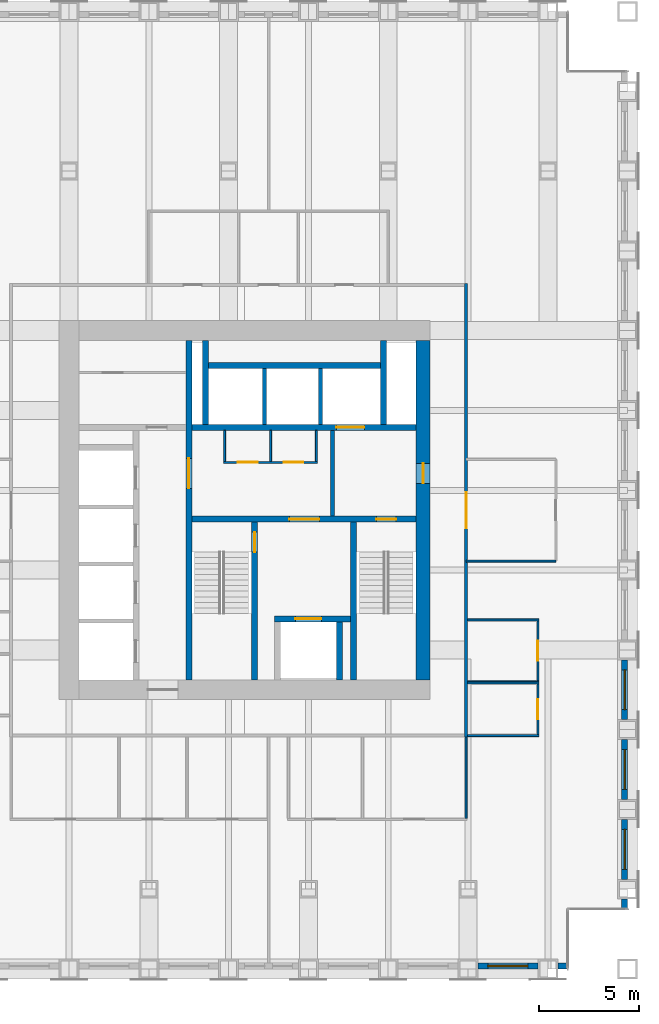
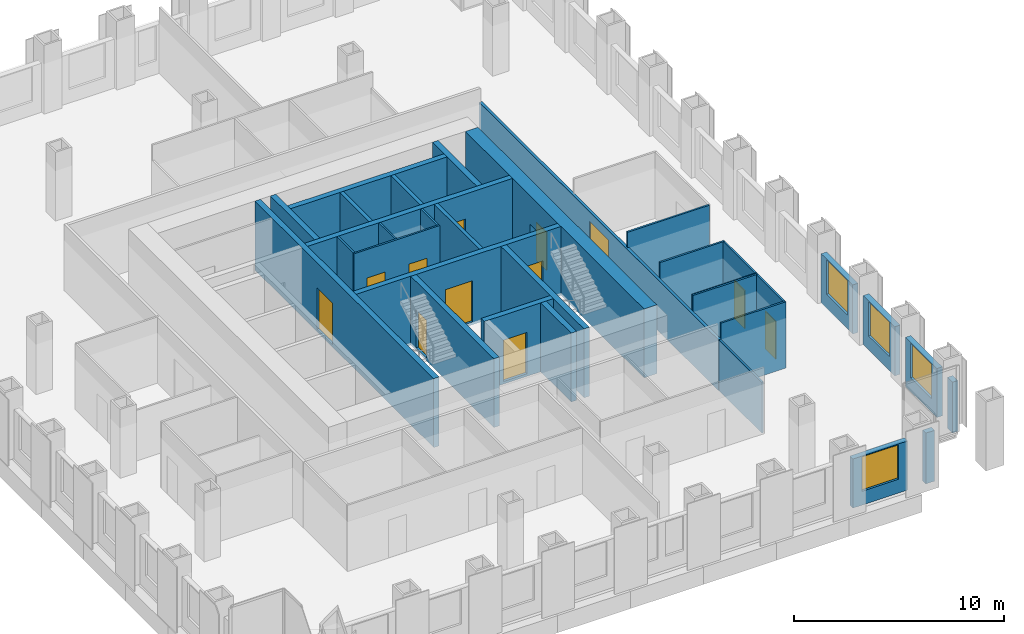
# One storey, part 9 of 12: 33 walls, 12 doors, 4 windows, 16 openings.
"""IFC4 building model written with IfcOpenShell, lengths in metres."""

from ifc_helpers import new_model, si_unit, direction, frame, frame_2d, origin, place, context, subcontext, project, spatial, rectangle, extrude, material, layer, layer_set, type_object, element, fill, save


model = new_model("IFC4")

# Units and contexts
model_context = context("Model", 3, precision=1e-05, world=origin(), true_north=direction((0.0, 1.0)))
body_context = subcontext(model_context, "Body", "Model", "MODEL_VIEW")
ifc_project = project(units=[si_unit("LENGTHUNIT", "METRE"), si_unit("AREAUNIT", "SQUARE_METRE"), si_unit("VOLUMEUNIT", "CUBIC_METRE"), si_unit("PLANEANGLEUNIT", "RADIAN"), si_unit("MASSUNIT", "GRAM", prefix="KILO")], contexts=[model_context])

# Site, building, storey
site_placement = place(None, origin())
site = spatial("IfcSite", under=ifc_project, at=site_placement, CompositionType="ELEMENT")
building_placement = place(site_placement, origin())
building = spatial("IfcBuilding", under=site, at=building_placement, Name="Rimbunsela Tower", CompositionType="ELEMENT")
storey_placement = place(building_placement, frame((0.0, 0.0, 151.800048828125)))
storey = spatial("IfcBuildingStorey", under=building, at=storey_placement, Name="L36", CompositionType="ELEMENT", Elevation=151.800048828125)

# Wall, opening, door
ifc_material_1 = material(Name="Concrete fc' 80 MPa", Category="concrete")
ifc_layer_1 = layer(ifc_material_1, 0.300048828125)
ifc_layer_set_1 = layer_set([ifc_layer_1], Name="Core internal wall 300")
wall_type_1 = type_object("IfcWallType", Name="Core internal wall 300", PredefinedType="SHEAR", material=ifc_layer_set_1)
wall_1_placement = place(storey_placement, frame((24.0, 18.5, -0.150146484375), z_axis=(0.0, 0.0, 1.0), x_axis=(0.0, 1.0, 0.0)))
wall_1 = element("IfcWall", 1, at=wall_1_placement, inside=storey, type_object=wall_type_1, Name="Core wall at stair A", PredefinedType="SHEAR", context=body_context, shape_type="SweptSolid", body=[
    extrude(rectangle(XDim=17.0, YDim=0.300048828125, at=frame_2d((8.5, 0.0))), origin(), (0.0, 0.0, 1.0), 4.0),
])
opening_1_placement = place(wall_1_placement, frame((9.60009765625, 0.0, 0.14990234375)))
opening_1 = element("IfcOpeningElement", 2, at=opening_1_placement, cuts=wall_1, Name="Opening D03", PredefinedType="OPENING", context=body_context, shape_type="SweptSolid", body=[
    extrude(rectangle(XDim=1.5, YDim=2.39990234375, at=frame_2d((0.75, 1.199951171875))), frame((0.0, 0.159912109375, 0.0), z_axis=(0.0, -1.0, 0.0), x_axis=(1.0, 0.0, 0.0)), (0.0, 0.0, 1.0), 0.320068359375),
])
ifc_material_2 = material(Name="Steel door, fire rated", Category="steel")
door_type_1 = type_object("IfcDoorType", Name="Core lobby door 1500", OperationType="DOUBLE_DOOR_DOUBLE_SWING", PredefinedType="DOOR", material=ifc_material_2)
door_1_placement = place(opening_1_placement, origin())
door_1 = element("IfcDoor", 3, at=door_1_placement, inside=storey, type_object=door_type_1, Name="West lobby door", OperationType="DOUBLE_DOOR_DOUBLE_SWING", OverallHeight=2.39990234375, OverallWidth=1.5, PredefinedType="DOOR", context=body_context, shape_type="SweptSolid", body=[
    extrude(rectangle(XDim=1.5, YDim=2.39990234375, at=frame_2d((0.75, 1.199951171875))), frame((0.0, 0.02490234375, 0.0), z_axis=(0.0, -1.0, 0.0), x_axis=(1.0, 0.0, 0.0)), (0.0, 0.0, 1.0), 0.050048828125),
])
fill(opening_1, door_1)

# Wall, openings, doors
wall_2_placement = place(storey_placement, frame((24.14990234375, 26.550048828125, -0.150146484375), z_axis=(0.0, 0.0, 1.0), x_axis=(1.0, 0.0, 0.0)))
wall_2 = element("IfcWall", 4, at=wall_2_placement, inside=storey, type_object=wall_type_1, Name="Core wall lobby south", PredefinedType="SHEAR", context=body_context, shape_type="SweptSolid", body=[
    extrude(rectangle(XDim=11.25, YDim=0.300048828125, at=frame_2d((5.625, 0.0))), origin(), (0.0, 0.0, 1.0), 4.0),
])
opening_2_placement = place(wall_2_placement, frame((9.25, 0.0, 0.14990234375)))
opening_2 = element("IfcOpeningElement", 5, at=opening_2_placement, cuts=wall_2, Name="Opening D01", PredefinedType="OPENING", context=body_context, shape_type="SweptSolid", body=[
    extrude(rectangle(XDim=1.0, YDim=2.199951171875, at=frame_2d((0.5, 1.10009765625))), frame((0.0, 0.159912109375, 0.0), z_axis=(0.0, -1.0, 0.0), x_axis=(1.0, 0.0, 0.0)), (0.0, 0.0, 1.0), 0.320068359375),
])
opening_3_placement = place(wall_2_placement, frame((4.89990234375, 0.0, 0.14990234375)))
opening_3 = element("IfcOpeningElement", 6, at=opening_3_placement, cuts=wall_2, Name="Opening D03", PredefinedType="OPENING", context=body_context, shape_type="SweptSolid", body=[
    extrude(rectangle(XDim=1.5, YDim=2.39990234375, at=frame_2d((0.75, 1.199951171875))), frame((0.0, 0.159912109375, 0.0), z_axis=(0.0, -1.0, 0.0), x_axis=(1.0, 0.0, 0.0)), (0.0, 0.0, 1.0), 0.320068359375),
])
door_2_placement = place(opening_3_placement, origin())
door_2 = element("IfcDoor", 7, at=door_2_placement, inside=storey, type_object=door_type_1, Name="Firefighting lobby door", OperationType="DOUBLE_DOOR_DOUBLE_SWING", OverallHeight=2.39990234375, OverallWidth=1.5, PredefinedType="DOOR", context=body_context, shape_type="SweptSolid", body=[
    extrude(rectangle(XDim=1.5, YDim=2.39990234375, at=frame_2d((0.75, 1.199951171875))), frame((0.0, 0.02490234375, 0.0), z_axis=(0.0, -1.0, 0.0), x_axis=(1.0, 0.0, 0.0)), (0.0, 0.0, 1.0), 0.050048828125),
])
fill(opening_3, door_2)
ifc_material_3 = material(Name="Steel door, fire rated", Category="steel")
door_type_2 = type_object("IfcDoorType", Name="Stair door 1000", OperationType="SINGLE_SWING_RIGHT", PredefinedType="DOOR", material=ifc_material_3)
door_3_placement = place(opening_2_placement, frame((1.0, 0.0, 0.0), z_axis=(0.0, 0.0, 1.0), x_axis=(-1.0, 0.0, 0.0)))
door_3 = element("IfcDoor", 8, at=door_3_placement, inside=storey, type_object=door_type_2, Name="Stair B door", OperationType="SINGLE_SWING_RIGHT", OverallHeight=2.199951171875, OverallWidth=1.0, PredefinedType="DOOR", context=body_context, shape_type="SweptSolid", body=[
    extrude(rectangle(XDim=1.0, YDim=2.199951171875, at=frame_2d((0.5, 1.10009765625))), frame((0.0, 0.02490234375, 0.0), z_axis=(0.0, -1.0, 0.0), x_axis=(1.0, 0.0, 0.0)), (0.0, 0.0, 1.0), 0.050048828125),
])
fill(opening_2, door_3)

# Wall, opening, door
wall_3_placement = place(storey_placement, frame((27.300048828125, 18.5, -0.150146484375), z_axis=(0.0, 0.0, 1.0), x_axis=(0.0, 1.0, 0.0)))
wall_3 = element("IfcWall", 9, at=wall_3_placement, inside=storey, type_object=wall_type_1, Name="Stair A enclosure", PredefinedType="SHEAR", context=body_context, shape_type="SweptSolid", body=[
    extrude(rectangle(XDim=7.89990234375, YDim=0.300048828125, at=frame_2d((3.949951171875, 0.0))), origin(), (0.0, 0.0, 1.0), 4.0),
])
opening_4_placement = place(wall_3_placement, frame((6.39990234375, 0.0, 0.14990234375)))
opening_4 = element("IfcOpeningElement", 10, at=opening_4_placement, cuts=wall_3, Name="Opening D01", PredefinedType="OPENING", context=body_context, shape_type="SweptSolid", body=[
    extrude(rectangle(XDim=1.0, YDim=2.199951171875, at=frame_2d((0.5, 1.10009765625))), frame((0.0, 0.159912109375, 0.0), z_axis=(0.0, -1.0, 0.0), x_axis=(1.0, 0.0, 0.0)), (0.0, 0.0, 1.0), 0.320068359375),
])
door_4_placement = place(opening_4_placement, origin())
door_4 = element("IfcDoor", 11, at=door_4_placement, inside=storey, type_object=door_type_2, Name="Stair A door", OperationType="SINGLE_SWING_RIGHT", OverallHeight=2.199951171875, OverallWidth=1.0, PredefinedType="DOOR", context=body_context, shape_type="SweptSolid", body=[
    extrude(rectangle(XDim=1.0, YDim=2.199951171875, at=frame_2d((0.5, 1.10009765625))), frame((0.0, 0.02490234375, 0.0), z_axis=(0.0, -1.0, 0.0), x_axis=(1.0, 0.0, 0.0)), (0.0, 0.0, 1.0), 0.050048828125),
])
fill(opening_4, door_4)

# Walls
wall_4_placement = place(storey_placement, frame((32.25, 18.5, -0.150146484375), z_axis=(0.0, 0.0, 1.0), x_axis=(0.0, 1.0, 0.0)))
element("IfcWall", 12, at=wall_4_placement, inside=storey, type_object=wall_type_1, Name="Stair B enclosure", PredefinedType="SHEAR", context=body_context, shape_type="SweptSolid", body=[
    extrude(rectangle(XDim=7.89990234375, YDim=0.300048828125, at=frame_2d((3.949951171875, 0.0))), origin(), (0.0, 0.0, 1.0), 4.0),
])
wall_5_placement = place(storey_placement, frame((31.550048828125, 18.5, -0.150146484375), z_axis=(0.0, 0.0, 1.0), x_axis=(0.0, 1.0, 0.0)))
element("IfcWall", 13, at=wall_5_placement, inside=storey, type_object=wall_type_1, Name="Firefighting lift shaft east", PredefinedType="SHEAR", context=body_context, shape_type="SweptSolid", body=[
    extrude(rectangle(XDim=2.89990234375, YDim=0.300048828125, at=frame_2d((1.449951171875, 0.0))), origin(), (0.0, 0.0, 1.0), 4.0),
])

# Wall, opening, door
wall_6_placement = place(storey_placement, frame((28.300048828125, 21.550048828125, -0.150146484375), z_axis=(0.0, 0.0, 1.0), x_axis=(1.0, 0.0, 0.0)))
wall_6 = element("IfcWall", 14, at=wall_6_placement, inside=storey, type_object=wall_type_1, Name="Firefighting lift shaft front", PredefinedType="SHEAR", context=body_context, shape_type="SweptSolid", body=[
    extrude(rectangle(XDim=3.800048828125, YDim=0.300048828125, at=frame_2d((1.89990234375, 0.0))), origin(), (0.0, 0.0, 1.0), 4.0),
])
opening_5_placement = place(wall_6_placement, frame((1.050048828125, 0.0, 0.14990234375)))
opening_5 = element("IfcOpeningElement", 15, at=opening_5_placement, cuts=wall_6, Name="Opening LD2", PredefinedType="OPENING", context=body_context, shape_type="SweptSolid", body=[
    extrude(rectangle(XDim=1.300048828125, YDim=2.39990234375, at=frame_2d((0.64990234375, 1.199951171875))), frame((0.0, 0.159912109375, 0.0), z_axis=(0.0, -1.0, 0.0), x_axis=(1.0, 0.0, 0.0)), (0.0, 0.0, 1.0), 0.320068359375),
])
ifc_material_4 = material(Name="Steel door, fire rated", Category="steel")
door_type_3 = type_object("IfcDoorType", Name="Lift landing door 1300", OperationType="DOUBLE_DOOR_SLIDING", PredefinedType="DOOR", material=ifc_material_4)
door_5_placement = place(opening_5_placement, origin())
door_5 = element("IfcDoor", 16, at=door_5_placement, inside=storey, type_object=door_type_3, Name="Lift landing door FL1", OperationType="DOUBLE_DOOR_SLIDING", OverallHeight=2.39990234375, OverallWidth=1.300048828125, PredefinedType="DOOR", context=body_context, shape_type="SweptSolid", body=[
    extrude(rectangle(XDim=1.300048828125, YDim=2.39990234375, at=frame_2d((0.64990234375, 1.199951171875))), frame((0.0, 0.02490234375, 0.0), z_axis=(0.0, -1.0, 0.0), x_axis=(1.0, 0.0, 0.0)), (0.0, 0.0, 1.0), 0.050048828125),
])
fill(opening_5, door_5)

wall_7_placement = place(storey_placement, frame((24.14990234375, 31.14990234375, -0.150146484375), z_axis=(0.0, 0.0, 1.0), x_axis=(1.0, 0.0, 0.0)))
wall_7 = element("IfcWall", 17, at=wall_7_placement, inside=storey, type_object=wall_type_1, Name="Lift shaft front north", PredefinedType="SHEAR", context=body_context, shape_type="SweptSolid", body=[
    extrude(rectangle(XDim=11.25, YDim=0.300048828125, at=frame_2d((5.625, 0.0))), origin(), (0.0, 0.0, 1.0), 4.0),
])
opening_6_placement = place(wall_7_placement, frame((7.25, 0.0, 0.14990234375)))
opening_6 = element("IfcOpeningElement", 18, at=opening_6_placement, cuts=wall_7, Name="Opening LD3", PredefinedType="OPENING", context=body_context, shape_type="SweptSolid", body=[
    extrude(rectangle(XDim=1.39990234375, YDim=2.39990234375, at=frame_2d((0.699951171875, 1.199951171875))), frame((0.0, 0.159912109375, 0.0), z_axis=(0.0, -1.0, 0.0), x_axis=(1.0, 0.0, 0.0)), (0.0, 0.0, 1.0), 0.320068359375),
])
ifc_material_5 = material(Name="Steel door, fire rated", Category="steel")
door_type_4 = type_object("IfcDoorType", Name="Lift landing door 1400", OperationType="DOUBLE_DOOR_SLIDING", PredefinedType="DOOR", material=ifc_material_5)
door_6_placement = place(opening_6_placement, origin())
door_6 = element("IfcDoor", 19, at=door_6_placement, inside=storey, type_object=door_type_4, Name="Lift landing door FL2", OperationType="DOUBLE_DOOR_SLIDING", OverallHeight=2.39990234375, OverallWidth=1.39990234375, PredefinedType="DOOR", context=body_context, shape_type="SweptSolid", body=[
    extrude(rectangle(XDim=1.39990234375, YDim=2.39990234375, at=frame_2d((0.699951171875, 1.199951171875))), frame((0.0, 0.02490234375, 0.0), z_axis=(0.0, -1.0, 0.0), x_axis=(1.0, 0.0, 0.0)), (0.0, 0.0, 1.0), 0.050048828125),
])
fill(opening_6, door_6)

# Walls
for number, where, z_axis, x_axis, name in (
    (20, (24.85009765625, 31.300048828125, -0.150146484375), (0.0, 0.0, 1.0), (0.0, 1.0, 0.0), "Riser wall"),
    (21, (33.75, 31.300048828125, -0.150146484375), (0.0, 0.0, 1.0), (0.0, 1.0, 0.0), "Riser wall"),
):
    element("IfcWall", number, at=place(storey_placement, frame(where, z_axis=z_axis, x_axis=x_axis)), inside=storey, type_object=wall_type_1, Name=name, PredefinedType="SHEAR", context=body_context, shape_type="SweptSolid", body=[
        extrude(rectangle(XDim=4.199951171875, YDim=0.300048828125, at=frame_2d((2.10009765625, 0.0))), origin(), (0.0, 0.0, 1.0), 4.0),
    ])
wall_8_placement = place(storey_placement, frame((25.0, 34.25, -0.150146484375), z_axis=(0.0, 0.0, 1.0), x_axis=(1.0, 0.0, 0.0)))
element("IfcWall", 22, at=wall_8_placement, inside=storey, type_object=wall_type_1, Name="Lift shaft rear north", PredefinedType="SHEAR", context=body_context, shape_type="SweptSolid", body=[
    extrude(rectangle(XDim=8.60009765625, YDim=0.300048828125, at=frame_2d((4.300048828125, 0.0))), origin(), (0.0, 0.0, 1.0), 4.0),
])

# Wall, openings, doors
ifc_material_6 = material(Name="Concrete blockwork", Category="masonry")
ifc_layer_2 = layer(ifc_material_6, 0.10009765625)
ifc_layer_set_2 = layer_set([ifc_layer_2], Name="Core room partition 100")
wall_type_2 = type_object("IfcWallType", Name="Core room partition 100", PredefinedType="PARTITIONING", material=ifc_layer_set_2)
wall_9_placement = place(storey_placement, frame((25.75, 29.39990234375, 0.0), z_axis=(0.0, 0.0, 1.0), x_axis=(1.0, 0.0, 0.0)))
wall_9 = element("IfcWall", 23, at=wall_9_placement, inside=storey, type_object=wall_type_2, Name="Lobby room wall", PredefinedType="PARTITIONING", context=body_context, shape_type="SweptSolid", body=[
    extrude(rectangle(XDim=4.699951171875, YDim=0.10009765625, at=frame_2d((2.35009765625, 0.0))), origin(), (0.0, 0.0, 1.0), 3.849853515625),
])
opening_7_placement = place(wall_9_placement, frame((0.699951171875, 0.0, 0.0)))
opening_7 = element("IfcOpeningElement", 24, at=opening_7_placement, cuts=wall_9, Name="Opening D19", PredefinedType="OPENING", context=body_context, shape_type="SweptSolid", body=[
    extrude(rectangle(XDim=1.0, YDim=2.199951171875, at=frame_2d((0.5, 1.10009765625))), frame((0.0, 0.06005859375, 0.0), z_axis=(0.0, -1.0, 0.0), x_axis=(1.0, 0.0, 0.0)), (0.0, 0.0, 1.0), 0.1201171875),
])
opening_8_placement = place(wall_9_placement, frame((3.0, 0.0, 0.0)))
opening_8 = element("IfcOpeningElement", 25, at=opening_8_placement, cuts=wall_9, Name="Opening D19", PredefinedType="OPENING", context=body_context, shape_type="SweptSolid", body=[
    extrude(rectangle(XDim=1.0, YDim=2.199951171875, at=frame_2d((0.5, 1.10009765625))), frame((0.0, 0.06005859375, 0.0), z_axis=(0.0, -1.0, 0.0), x_axis=(1.0, 0.0, 0.0)), (0.0, 0.0, 1.0), 0.1201171875),
])
ifc_material_7 = material(Name="Steel door, fire rated", Category="steel")
door_type_5 = type_object("IfcDoorType", Name="Service door 1000 fire rated", OperationType="SINGLE_SWING_LEFT", PredefinedType="DOOR", material=ifc_material_7)
door_7_placement = place(opening_7_placement, origin())
door_7 = element("IfcDoor", 26, at=door_7_placement, inside=storey, type_object=door_type_5, Name="Facilities store door", OperationType="SINGLE_SWING_LEFT", OverallHeight=2.199951171875, OverallWidth=1.0, PredefinedType="DOOR", context=body_context, shape_type="SweptSolid", body=[
    extrude(rectangle(XDim=1.0, YDim=2.199951171875, at=frame_2d((0.5, 1.10009765625))), frame((0.0, 0.02490234375, 0.0), z_axis=(0.0, -1.0, 0.0), x_axis=(1.0, 0.0, 0.0)), (0.0, 0.0, 1.0), 0.050048828125),
])
fill(opening_7, door_7)
door_8_placement = place(opening_8_placement, origin())
door_8 = element("IfcDoor", 27, at=door_8_placement, inside=storey, type_object=door_type_5, Name="IT room door", OperationType="SINGLE_SWING_LEFT", OverallHeight=2.199951171875, OverallWidth=1.0, PredefinedType="DOOR", context=body_context, shape_type="SweptSolid", body=[
    extrude(rectangle(XDim=1.0, YDim=2.199951171875, at=frame_2d((0.5, 1.10009765625))), frame((0.0, 0.02490234375, 0.0), z_axis=(0.0, -1.0, 0.0), x_axis=(1.0, 0.0, 0.0)), (0.0, 0.0, 1.0), 0.050048828125),
])
fill(opening_8, door_8)

# Walls
for number, where, z_axis, x_axis, name in (
    (28, (25.800048828125, 29.449951171875, 0.0), (0.0, 0.0, 1.0), (0.0, 1.0, 0.0), "Lobby room wall"),
    (29, (30.39990234375, 29.449951171875, 0.0), (0.0, 0.0, 1.0), (0.0, 1.0, 0.0), "Lobby room wall"),
    (30, (28.10009765625, 29.449951171875, 0.0), (0.0, 0.0, 1.0), (0.0, 1.0, 0.0), "Lobby room wall"),
):
    element("IfcWall", number, at=place(storey_placement, frame(where, z_axis=z_axis, x_axis=x_axis)), inside=storey, type_object=wall_type_2, Name=name, PredefinedType="PARTITIONING", context=body_context, shape_type="SweptSolid", body=[
        extrude(rectangle(XDim=1.550048828125, YDim=0.10009765625, at=frame_2d((0.77490234375, 0.0))), origin(), (0.0, 0.0, 1.0), 3.849853515625),
    ])

# Wall, opening, door
ifc_material_8 = material(Name="Concrete fc' 80 MPa", Category="concrete")
ifc_layer_3 = layer(ifc_material_8, 0.699951171875)
ifc_layer_set_3 = layer_set([ifc_layer_3], Name="Core wall 700 east")
wall_type_3 = type_object("IfcWallType", Name="Core wall 700 east", PredefinedType="SHEAR", material=ifc_layer_set_3)
wall_10_placement = place(storey_placement, frame((35.75, 18.5, -0.150146484375), z_axis=(0.0, 0.0, 1.0), x_axis=(0.0, 1.0, 0.0)))
wall_10 = element("IfcWall", 31, at=wall_10_placement, inside=storey, type_object=wall_type_3, Name="Core wall east", PredefinedType="SHEAR", context=body_context, shape_type="SweptSolid", body=[
    extrude(rectangle(XDim=17.0, YDim=0.699951171875, at=frame_2d((8.5, 0.0))), origin(), (0.0, 0.0, 1.0), 4.0),
])
opening_9_placement = place(wall_10_placement, frame((9.85009765625, 0.0, 0.14990234375)))
opening_9 = element("IfcOpeningElement", 32, at=opening_9_placement, cuts=wall_10, Name="Opening D01", PredefinedType="OPENING", context=body_context, shape_type="SweptSolid", body=[
    extrude(rectangle(XDim=1.0, YDim=2.199951171875, at=frame_2d((0.5, 1.10009765625))), frame((0.0, 0.35986328125, 0.0), z_axis=(0.0, -1.0, 0.0), x_axis=(1.0, 0.0, 0.0)), (0.0, 0.0, 1.0), 0.719970703125),
])
door_9_placement = place(opening_9_placement, origin())
door_9 = element("IfcDoor", 33, at=door_9_placement, inside=storey, type_object=door_type_2, Name="Firefighting lobby 2 door", OperationType="SINGLE_SWING_RIGHT", OverallHeight=2.199951171875, OverallWidth=1.0, PredefinedType="DOOR", context=body_context, shape_type="SweptSolid", body=[
    extrude(rectangle(XDim=1.0, YDim=2.199951171875, at=frame_2d((0.5, 1.10009765625))), frame((0.0, 0.02490234375, 0.0), z_axis=(0.0, -1.0, 0.0), x_axis=(1.0, 0.0, 0.0)), (0.0, 0.0, 1.0), 0.050048828125),
])
fill(opening_9, door_9)

# Walls
ifc_material_9 = material(Name="Concrete blockwork", Category="masonry")
ifc_layer_4 = layer(ifc_material_9, 0.199951171875)
ifc_layer_set_4 = layer_set([ifc_layer_4], Name="Lift shaft wall 200")
wall_type_4 = type_object("IfcWallType", Name="Lift shaft wall 200", PredefinedType="SOLIDWALL", material=ifc_layer_set_4)
for number, where, z_axis, x_axis, name in (
    (34, (27.800048828125, 31.300048828125, -0.150146484375), (0.0, 0.0, 1.0), (0.0, 1.0, 0.0), "Lift shaft separation"),
    (35, (30.60009765625, 31.300048828125, -0.150146484375), (0.0, 0.0, 1.0), (0.0, 1.0, 0.0), "Lift shaft separation"),
):
    element("IfcWall", number, at=place(storey_placement, frame(where, z_axis=z_axis, x_axis=x_axis)), inside=storey, type_object=wall_type_4, Name=name, PredefinedType="SOLIDWALL", context=body_context, shape_type="SweptSolid", body=[
        extrude(rectangle(XDim=2.800048828125, YDim=0.199951171875, at=frame_2d((1.39990234375, 0.0))), origin(), (0.0, 0.0, 1.0), 4.0),
    ])
wall_11_placement = place(storey_placement, frame((31.199951171875, 26.699951171875, 0.0), z_axis=(0.0, 0.0, 1.0), x_axis=(0.0, 1.0, 0.0)))
element("IfcWall", 36, at=wall_11_placement, inside=storey, type_object=wall_type_4, Name="Firefighting lobby 2 wall", PredefinedType="SOLIDWALL", context=body_context, shape_type="SweptSolid", body=[
    extrude(rectangle(XDim=4.300048828125, YDim=0.199951171875, at=frame_2d((2.14990234375, 0.0))), origin(), (0.0, 0.0, 1.0), 3.849853515625),
])
ifc_material_10 = material(Name="Gypsum board on steel studs", Category="steel")
ifc_layer_5 = layer(ifc_material_10, 0.10009765625)
ifc_layer_set_5 = layer_set([ifc_layer_5], Name="Office partition 100")
wall_type_5 = type_object("IfcWallType", Name="Office partition 100", PredefinedType="PARTITIONING", material=ifc_layer_set_5)
for number, where, z_axis, x_axis, name in (
    (37, (37.97509765625, 15.699951171875, 0.0), (0.0, 0.0, 1.0), (1.0, 0.0, 0.0), "Office partition"),
    (38, (37.97509765625, 18.35009765625, 0.0), (0.0, 0.0, 1.0), (1.0, 0.0, 0.0), "Office partition"),
    (39, (37.97509765625, 18.39990234375, 0.0), (0.0, 0.0, 1.0), (1.0, 0.0, 0.0), "Office partition"),
    (40, (37.97509765625, 21.5, 0.0), (0.0, 0.0, 1.0), (1.0, 0.0, 0.0), "Office partition"),
):
    element("IfcWall", number, at=place(storey_placement, frame(where, z_axis=z_axis, x_axis=x_axis)), inside=storey, type_object=wall_type_5, Name=name, PredefinedType="PARTITIONING", context=body_context, shape_type="SweptSolid", body=[
        extrude(rectangle(XDim=3.574951171875, YDim=0.10009765625, at=frame_2d((1.78759765625, 0.0))), origin(), (0.0, 0.0, 1.0), 3.849853515625),
    ])
wall_12_placement = place(storey_placement, frame((37.89990234375, 11.550048828125, 0.0), z_axis=(0.0, 0.0, 1.0), x_axis=(0.0, 1.0, 0.0)))
element("IfcWall", 41, at=wall_12_placement, inside=storey, type_object=wall_type_5, Name="Office partition", PredefinedType="PARTITIONING", context=body_context, shape_type="SweptSolid", body=[
    extrude(rectangle(XDim=4.074951171875, YDim=0.10009765625, at=frame_2d((2.03759765625, 0.0))), origin(), (0.0, 0.0, 1.0), 2.949951171875),
])

# Wall, opening, door
wall_13_placement = place(storey_placement, frame((41.5, 15.75, 0.0), z_axis=(0.0, 0.0, 1.0), x_axis=(0.0, 1.0, 0.0)))
wall_13 = element("IfcWall", 42, at=wall_13_placement, inside=storey, type_object=wall_type_5, Name="Office partition", PredefinedType="PARTITIONING", context=body_context, shape_type="SweptSolid", body=[
    extrude(rectangle(XDim=2.550048828125, YDim=0.10009765625, at=frame_2d((1.27490234375, 0.0))), origin(), (0.0, 0.0, 1.0), 3.849853515625),
])
opening_10_placement = place(wall_13_placement, frame((0.77490234375, 0.0, 0.0)))
opening_10 = element("IfcOpeningElement", 43, at=opening_10_placement, cuts=wall_13, Name="Opening D16", PredefinedType="OPENING", context=body_context, shape_type="SweptSolid", body=[
    extrude(rectangle(XDim=1.0, YDim=2.199951171875, at=frame_2d((0.5, 1.10009765625))), frame((0.0, 0.06005859375, 0.0), z_axis=(0.0, -1.0, 0.0), x_axis=(1.0, 0.0, 0.0)), (0.0, 0.0, 1.0), 0.1201171875),
])
ifc_material_11 = material(Name="Timber door", Category="wood")
door_type_6 = type_object("IfcDoorType", Name="Office door 1000", OperationType="SINGLE_SWING_LEFT", PredefinedType="DOOR", material=ifc_material_11)
door_10_placement = place(opening_10_placement, origin())
door_10 = element("IfcDoor", 44, at=door_10_placement, inside=storey, type_object=door_type_6, Name="Office door", OperationType="SINGLE_SWING_LEFT", OverallHeight=2.199951171875, OverallWidth=1.0, PredefinedType="DOOR", context=body_context, shape_type="SweptSolid", body=[
    extrude(rectangle(XDim=1.0, YDim=2.199951171875, at=frame_2d((0.5, 1.10009765625))), frame((0.0, 0.02490234375, 0.0), z_axis=(0.0, -1.0, 0.0), x_axis=(1.0, 0.0, 0.0)), (0.0, 0.0, 1.0), 0.050048828125),
])
fill(opening_10, door_10)

wall_14_placement = place(storey_placement, frame((41.5, 18.449951171875, 0.0), z_axis=(0.0, 0.0, 1.0), x_axis=(0.0, 1.0, 0.0)))
wall_14 = element("IfcWall", 45, at=wall_14_placement, inside=storey, type_object=wall_type_5, Name="Office partition", PredefinedType="PARTITIONING", context=body_context, shape_type="SweptSolid", body=[
    extrude(rectangle(XDim=3.0, YDim=0.10009765625, at=frame_2d((1.5, 0.0))), origin(), (0.0, 0.0, 1.0), 3.849853515625),
])
opening_11_placement = place(wall_14_placement, frame((1.0, 0.0, 0.0)))
opening_11 = element("IfcOpeningElement", 46, at=opening_11_placement, cuts=wall_14, Name="Opening D16", PredefinedType="OPENING", context=body_context, shape_type="SweptSolid", body=[
    extrude(rectangle(XDim=1.0, YDim=2.199951171875, at=frame_2d((0.5, 1.10009765625))), frame((0.0, 0.06005859375, 0.0), z_axis=(0.0, -1.0, 0.0), x_axis=(1.0, 0.0, 0.0)), (0.0, 0.0, 1.0), 0.1201171875),
])
door_11_placement = place(opening_11_placement, origin())
door_11 = element("IfcDoor", 47, at=door_11_placement, inside=storey, type_object=door_type_6, Name="Office door", OperationType="SINGLE_SWING_LEFT", OverallHeight=2.199951171875, OverallWidth=1.0, PredefinedType="DOOR", context=body_context, shape_type="SweptSolid", body=[
    extrude(rectangle(XDim=1.0, YDim=2.199951171875, at=frame_2d((0.5, 1.10009765625))), frame((0.0, 0.02490234375, 0.0), z_axis=(0.0, -1.0, 0.0), x_axis=(1.0, 0.0, 0.0)), (0.0, 0.0, 1.0), 0.050048828125),
])
fill(opening_11, door_11)

# Wall
wall_15_placement = place(storey_placement, frame((37.89990234375, 24.449951171875, 0.0), z_axis=(0.0, 0.0, 1.0), x_axis=(1.0, 0.0, 0.0)))
element("IfcWall", 48, at=wall_15_placement, inside=storey, type_object=wall_type_5, Name="Office partition", PredefinedType="PARTITIONING", context=body_context, shape_type="SweptSolid", body=[
    extrude(rectangle(XDim=4.5, YDim=0.10009765625, at=frame_2d((2.25, 0.0))), origin(), (0.0, 0.0, 1.0), 3.849853515625),
])

# Wall, opening, window
ifc_material_12 = material(Name="Precast concrete fc' 35 MPa", Category="concrete")
ifc_layer_6 = layer(ifc_material_12, 0.300048828125)
ifc_layer_set_6 = layer_set([ifc_layer_6], Name="Precast concrete fc' 35 MPa")
wall_type_6 = type_object("IfcWallType", Name="Precast facade panel 300", PredefinedType="ELEMENTEDWALL", material=ifc_layer_set_6)
wall_16_placement = place(storey_placement, frame((38.5, 4.14990234375, 0.0), z_axis=(0.0, 0.0, 1.0), x_axis=(1.0, 0.0, 0.0)))
wall_16 = element("IfcWall", 49, at=wall_16_placement, inside=storey, type_object=wall_type_6, Name="Facade panel S L36", PredefinedType="ELEMENTEDWALL", context=body_context, shape_type="SweptSolid", body=[
    extrude(rectangle(XDim=3.0, YDim=0.300048828125, at=frame_2d((1.5, 0.0))), origin(), (0.0, 0.0, 1.0), 2.849853515625),
])
opening_12_placement = place(wall_16_placement, frame((0.5, 0.0, 0.800048828125)))
opening_12 = element("IfcOpeningElement", 50, at=opening_12_placement, cuts=wall_16, Name="Opening W1", PredefinedType="OPENING", context=body_context, shape_type="SweptSolid", body=[
    extrude(rectangle(XDim=2.0, YDim=2.0, at=frame_2d((1.0, 1.0))), frame((0.0, 0.159912109375, 0.0), z_axis=(0.0, -1.0, 0.0), x_axis=(1.0, 0.0, 0.0)), (0.0, 0.0, 1.0), 0.320068359375),
])
ifc_material_13 = material(Name="Clear glass in aluminium frame", Category="aluminium")
window_type = type_object("IfcWindowType", Name="Window W1 2000x2000", PartitioningType="DOUBLE_PANEL_VERTICAL", PredefinedType="WINDOW", material=ifc_material_13)
window_1_placement = place(opening_12_placement, origin())
window_1 = element("IfcWindow", 51, at=window_1_placement, inside=storey, type_object=window_type, Name="Window L36", OverallHeight=2.0, OverallWidth=2.0, PartitioningType="SINGLE_PANEL", PredefinedType="WINDOW", context=body_context, shape_type="SweptSolid", body=[
    extrude(rectangle(XDim=2.0, YDim=2.0, at=frame_2d((1.0, 1.0))), frame((0.0, 0.030029296875, 0.0), z_axis=(0.0, -1.0, 0.0), x_axis=(1.0, 0.0, 0.0)), (0.0, 0.0, 1.0), 0.06005859375),
])
fill(opening_12, window_1)

# Walls
for number, where, z_axis, x_axis, name in (
    (52, (42.5, 4.14990234375, 0.0), (0.0, 0.0, 1.0), (1.0, 0.0, 0.0), "Facade panel S L36"),
    (53, (45.85009765625, 7.030029296875, 0.0), (0.0, 0.0, 1.0), (0.0, 1.0, 0.0), "Facade panel E L36"),
):
    element("IfcWall", number, at=place(storey_placement, frame(where, z_axis=z_axis, x_axis=x_axis)), inside=storey, type_object=wall_type_6, Name=name, PredefinedType="ELEMENTEDWALL", context=body_context, shape_type="SweptSolid", body=[
        extrude(rectangle(XDim=0.469970703125, YDim=0.300048828125, at=frame_2d((0.23486328125, 0.0))), origin(), (0.0, 0.0, 1.0), 2.949951171875),
    ])

# Wall, opening, window
wall_17_placement = place(storey_placement, frame((45.85009765625, 8.5, 0.0), z_axis=(0.0, 0.0, 1.0), x_axis=(0.0, 1.0, 0.0)))
wall_17 = element("IfcWall", 54, at=wall_17_placement, inside=storey, type_object=wall_type_6, Name="Facade panel E L36", PredefinedType="ELEMENTEDWALL", context=body_context, shape_type="SweptSolid", body=[
    extrude(rectangle(XDim=3.0, YDim=0.300048828125, at=frame_2d((1.5, 0.0))), origin(), (0.0, 0.0, 1.0), 2.849853515625),
])
opening_13_placement = place(wall_17_placement, frame((0.5, 0.0, 0.800048828125)))
opening_13 = element("IfcOpeningElement", 55, at=opening_13_placement, cuts=wall_17, Name="Opening W1", PredefinedType="OPENING", context=body_context, shape_type="SweptSolid", body=[
    extrude(rectangle(XDim=2.0, YDim=2.0, at=frame_2d((1.0, 1.0))), frame((0.0, 0.159912109375, 0.0), z_axis=(0.0, -1.0, 0.0), x_axis=(1.0, 0.0, 0.0)), (0.0, 0.0, 1.0), 0.320068359375),
])
window_2_placement = place(opening_13_placement, origin())
window_2 = element("IfcWindow", 56, at=window_2_placement, inside=storey, type_object=window_type, Name="Window L36", OverallHeight=2.0, OverallWidth=2.0, PartitioningType="SINGLE_PANEL", PredefinedType="WINDOW", context=body_context, shape_type="SweptSolid", body=[
    extrude(rectangle(XDim=2.0, YDim=2.0, at=frame_2d((1.0, 1.0))), frame((0.0, 0.030029296875, 0.0), z_axis=(0.0, -1.0, 0.0), x_axis=(1.0, 0.0, 0.0)), (0.0, 0.0, 1.0), 0.06005859375),
])
fill(opening_13, window_2)

wall_18_placement = place(storey_placement, frame((45.85009765625, 12.5, 0.0), z_axis=(0.0, 0.0, 1.0), x_axis=(0.0, 1.0, 0.0)))
wall_18 = element("IfcWall", 57, at=wall_18_placement, inside=storey, type_object=wall_type_6, Name="Facade panel E L36", PredefinedType="ELEMENTEDWALL", context=body_context, shape_type="SweptSolid", body=[
    extrude(rectangle(XDim=3.0, YDim=0.300048828125, at=frame_2d((1.5, 0.0))), origin(), (0.0, 0.0, 1.0), 2.849853515625),
])
opening_14_placement = place(wall_18_placement, frame((0.5, 0.0, 0.800048828125)))
opening_14 = element("IfcOpeningElement", 58, at=opening_14_placement, cuts=wall_18, Name="Opening W1", PredefinedType="OPENING", context=body_context, shape_type="SweptSolid", body=[
    extrude(rectangle(XDim=2.0, YDim=2.0, at=frame_2d((1.0, 1.0))), frame((0.0, 0.159912109375, 0.0), z_axis=(0.0, -1.0, 0.0), x_axis=(1.0, 0.0, 0.0)), (0.0, 0.0, 1.0), 0.320068359375),
])
window_3_placement = place(opening_14_placement, origin())
window_3 = element("IfcWindow", 59, at=window_3_placement, inside=storey, type_object=window_type, Name="Window L36", OverallHeight=2.0, OverallWidth=2.0, PartitioningType="SINGLE_PANEL", PredefinedType="WINDOW", context=body_context, shape_type="SweptSolid", body=[
    extrude(rectangle(XDim=2.0, YDim=2.0, at=frame_2d((1.0, 1.0))), frame((0.0, 0.030029296875, 0.0), z_axis=(0.0, -1.0, 0.0), x_axis=(1.0, 0.0, 0.0)), (0.0, 0.0, 1.0), 0.06005859375),
])
fill(opening_14, window_3)

wall_19_placement = place(storey_placement, frame((45.85009765625, 16.5, 0.0), z_axis=(0.0, 0.0, 1.0), x_axis=(0.0, 1.0, 0.0)))
wall_19 = element("IfcWall", 60, at=wall_19_placement, inside=storey, type_object=wall_type_6, Name="Facade panel E L36", PredefinedType="ELEMENTEDWALL", context=body_context, shape_type="SweptSolid", body=[
    extrude(rectangle(XDim=3.0, YDim=0.300048828125, at=frame_2d((1.5, 0.0))), origin(), (0.0, 0.0, 1.0), 2.849853515625),
])
opening_15_placement = place(wall_19_placement, frame((0.5, 0.0, 0.800048828125)))
opening_15 = element("IfcOpeningElement", 61, at=opening_15_placement, cuts=wall_19, Name="Opening W1", PredefinedType="OPENING", context=body_context, shape_type="SweptSolid", body=[
    extrude(rectangle(XDim=2.0, YDim=2.0, at=frame_2d((1.0, 1.0))), frame((0.0, 0.159912109375, 0.0), z_axis=(0.0, -1.0, 0.0), x_axis=(1.0, 0.0, 0.0)), (0.0, 0.0, 1.0), 0.320068359375),
])
window_4_placement = place(opening_15_placement, origin())
window_4 = element("IfcWindow", 62, at=window_4_placement, inside=storey, type_object=window_type, Name="Window L36", OverallHeight=2.0, OverallWidth=2.0, PartitioningType="SINGLE_PANEL", PredefinedType="WINDOW", context=body_context, shape_type="SweptSolid", body=[
    extrude(rectangle(XDim=2.0, YDim=2.0, at=frame_2d((1.0, 1.0))), frame((0.0, 0.030029296875, 0.0), z_axis=(0.0, -1.0, 0.0), x_axis=(1.0, 0.0, 0.0)), (0.0, 0.0, 1.0), 0.06005859375),
])
fill(opening_15, window_4)

# Wall, opening, door
ifc_material_14 = material(Name="Fire-rated gypsum board on steel studs, EI 60", Category="steel")
ifc_layer_7 = layer(ifc_material_14, 0.14990234375)
ifc_layer_set_7 = layer_set([ifc_layer_7], Name="Rated corridor wall 150")
wall_type_7 = type_object("IfcWallType", Name="Rated corridor wall 150", PredefinedType="PARTITIONING", material=ifc_layer_set_7)
wall_20_placement = place(storey_placement, frame((37.89990234375, 15.625, 0.0), z_axis=(0.0, 0.0, 1.0), x_axis=(0.0, 1.0, 0.0)))
wall_20 = element("IfcWall", 63, at=wall_20_placement, inside=storey, type_object=wall_type_7, Name="Corridor wall east", PredefinedType="PARTITIONING", context=body_context, shape_type="SweptSolid", body=[
    extrude(rectangle(XDim=22.75, YDim=0.14990234375, at=frame_2d((11.375, 0.0))), origin(), (0.0, 0.0, 1.0), 2.949951171875),
])
opening_16_placement = place(wall_20_placement, frame((10.47509765625, 0.0, 0.0)))
opening_16 = element("IfcOpeningElement", 64, at=opening_16_placement, cuts=wall_20, Name="Opening D09", PredefinedType="OPENING", context=body_context, shape_type="SweptSolid", body=[
    extrude(rectangle(XDim=1.800048828125, YDim=2.39990234375, at=frame_2d((0.89990234375, 1.199951171875))), frame((0.0, 0.0849609375, 0.0), z_axis=(0.0, -1.0, 0.0), x_axis=(1.0, 0.0, 0.0)), (0.0, 0.0, 1.0), 0.169921875),
])
ifc_material_15 = material(Name="Glazed aluminium door, fire rated", Category="aluminium")
door_type_7 = type_object("IfcDoorType", Name="Tenancy door 1800 glazed", OperationType="DOUBLE_DOOR_DOUBLE_SWING", PredefinedType="DOOR", material=ifc_material_15)
door_12_placement = place(opening_16_placement, origin())
door_12 = element("IfcDoor", 65, at=door_12_placement, inside=storey, type_object=door_type_7, Name="Tenancy door", OperationType="DOUBLE_DOOR_DOUBLE_SWING", OverallHeight=2.39990234375, OverallWidth=1.800048828125, PredefinedType="DOOR", context=body_context, shape_type="SweptSolid", body=[
    extrude(rectangle(XDim=1.800048828125, YDim=2.39990234375, at=frame_2d((0.89990234375, 1.199951171875))), frame((0.0, 0.02490234375, 0.0), z_axis=(0.0, -1.0, 0.0), x_axis=(1.0, 0.0, 0.0)), (0.0, 0.0, 1.0), 0.050048828125),
])
fill(opening_16, door_12)

save(model, "model.ifc")
